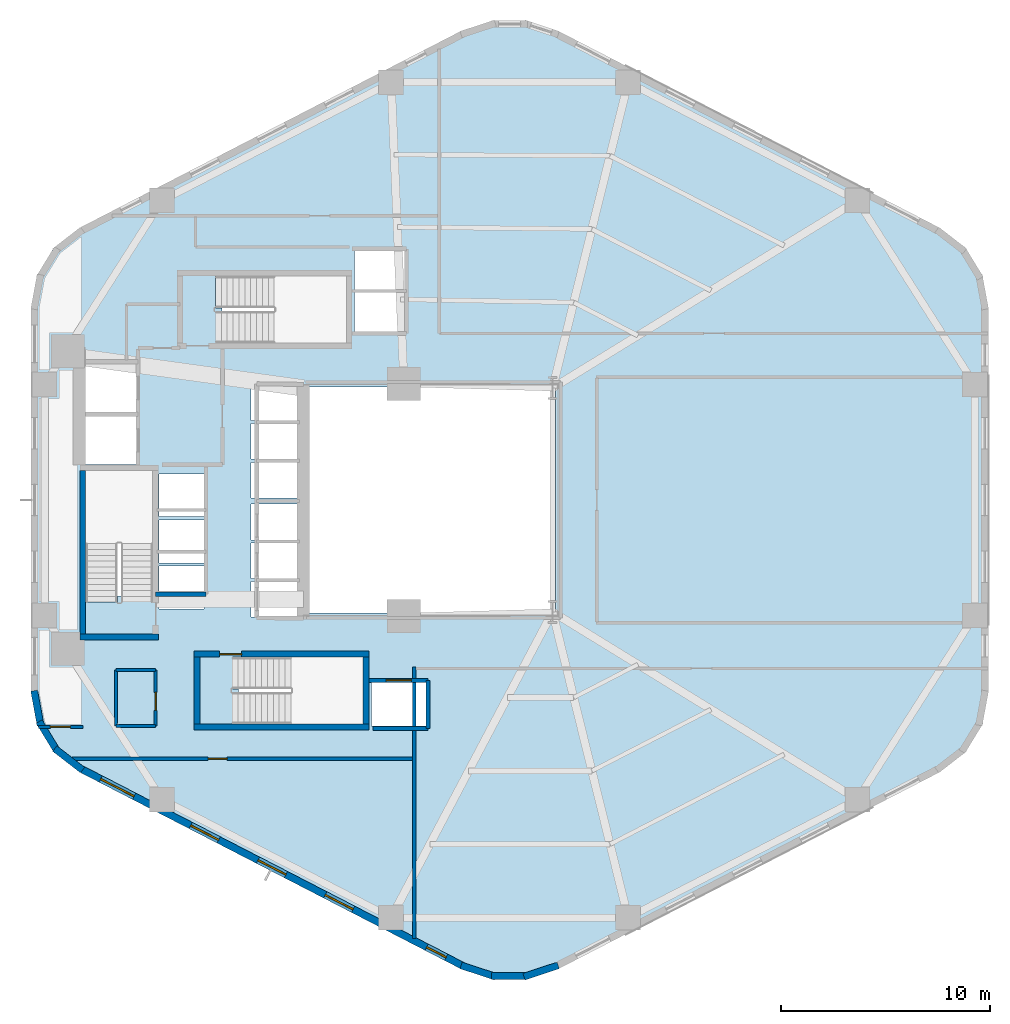
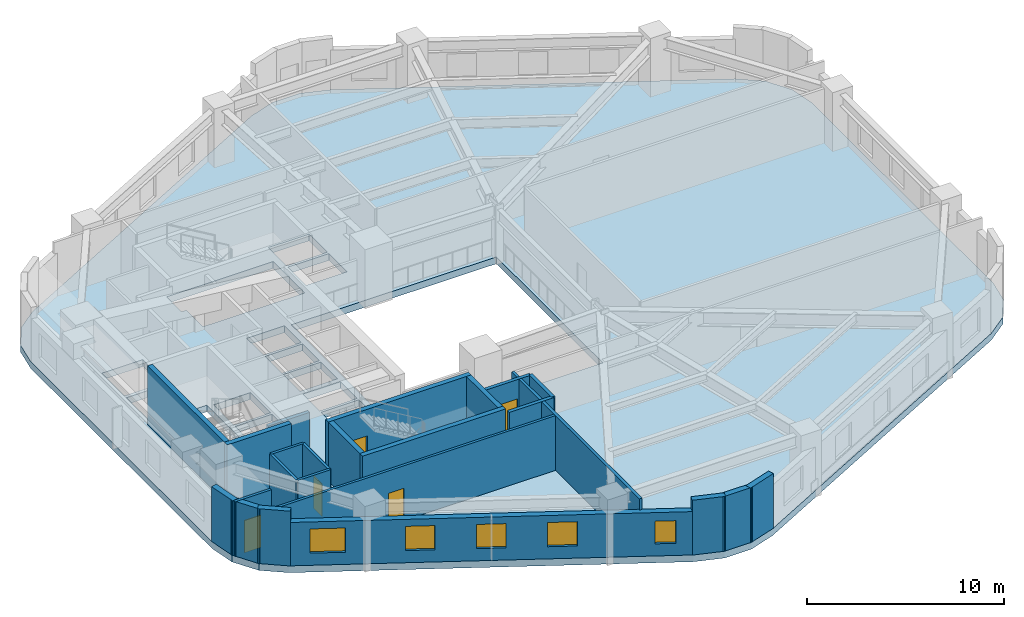
# One storey, part 2 of 7: 24 walls, 5 doors, 5 windows, 1 slab, 10 openings.
"""IFC4 building model written with IfcOpenShell, lengths in metres."""

from ifc_helpers import new_model, si_unit, direction, frame, frame_2d, origin, place, context, subcontext, project, spatial, polyline, rectangle, outline, extrude, material, layer, layer_set, type_object, element, fill, save


model = new_model("IFC4")

# Units and contexts
model_context = context("Model", 3, precision=1e-05, world=origin(), true_north=direction((0.0, 1.0)))
body_context = subcontext(model_context, "Body", "Model", "MODEL_VIEW")
ifc_project = project(units=[si_unit("LENGTHUNIT", "METRE"), si_unit("AREAUNIT", "SQUARE_METRE"), si_unit("VOLUMEUNIT", "CUBIC_METRE"), si_unit("PLANEANGLEUNIT", "RADIAN"), si_unit("MASSUNIT", "GRAM", prefix="KILO"), si_unit("THERMODYNAMICTEMPERATUREUNIT", "KELVIN"), si_unit("POWERUNIT", "WATT")], contexts=[model_context])

# Site, building, storey
site_placement = place(None, origin())
site = spatial("IfcSite", under=ifc_project, at=site_placement, CompositionType="ELEMENT")
building_placement = place(site_placement, origin())
building = spatial("IfcBuilding", under=site, at=building_placement, Name="Skarre Station Tower", CompositionType="ELEMENT")
storey_placement = place(building_placement, frame((0.0, 0.0, 27.0)))
storey = spatial("IfcBuildingStorey", under=building, at=storey_placement, Name="L06", CompositionType="ELEMENT", Elevation=27.0)

# Slab
ifc_material_1 = material(Name="Concrete C50/60", Category="concrete")
ifc_layer_1 = layer(ifc_material_1, 0.419921875, Name="Concrete C50/60")
ifc_layer_set_1 = layer_set([ifc_layer_1], Name="Concrete C50/60")
slab_type = type_object("IfcSlabType", Name="Transfer & Concourse Floor Slab 360", PredefinedType="FLOOR", material=ifc_layer_set_1)
slab_placement = place(storey_placement, frame((0.0, 0.0, -0.419921875)))
element("IfcSlab", 1, at=slab_placement, inside=storey, type_object=slab_type, Name="L06 Zone 1 Structural Floor Slab", PredefinedType="FLOOR", context=body_context, shape_type="SweptSolid", body=[
    extrude(outline(polyline([(60.262939453125, 33.201904296875), (59.98193359375, 34.72412109375), (59.177001953125, 36.044921875), (57.9541015625, 36.991943359375), (39.708984375, 46.407958984375), (38.196044921875, 46.906005859375), (36.60400390625, 46.906005859375), (35.091064453125, 46.407958984375), (16.845947265625, 36.991943359375), (15.623046875, 36.044921875), (14.818115234375, 34.72412109375), (14.537109375, 33.201904296875), (14.537109375, 14.798095703125), (14.818115234375, 13.27587890625), (15.623046875, 11.955078125), (16.845947265625, 11.008056640625), (35.091064453125, 1.592041015625), (36.60400390625, 1.093994140625), (38.196044921875, 1.093994140625), (39.708984375, 1.592041015625), (57.9541015625, 11.008056640625), (59.177001953125, 11.955078125), (59.98193359375, 13.27587890625), (60.262939453125, 14.798095703125), (60.262939453125, 33.201904296875)]), holes=[polyline([(18.669921875, 19.419921875), (18.669921875, 19.123046875), (17.14990234375, 19.123046875), (17.14990234375, 25.39990234375), (20.35009765625, 25.39990234375), (20.35009765625, 19.419921875), (18.669921875, 19.419921875)]), polyline([(24.449951171875, 14.97998046875), (24.153076171875, 14.97998046875), (24.153076171875, 16.5), (30.39990234375, 16.5), (30.39990234375, 13.300048828125), (24.449951171875, 13.300048828125), (24.449951171875, 14.97998046875)]), polyline([(23.64990234375, 33.179931640625), (23.35302734375, 33.179931640625), (23.35302734375, 34.699951171875), (29.60009765625, 34.699951171875), (29.60009765625, 31.5), (23.64990234375, 31.5), (23.64990234375, 33.179931640625)]), polyline([(17.14990234375, 28.0), (19.550048828125, 28.0), (19.550048828125, 25.699951171875), (17.14990234375, 25.699951171875), (17.14990234375, 28.0)]), polyline([(17.14990234375, 30.5), (19.550048828125, 30.5), (19.550048828125, 28.199951171875), (17.14990234375, 28.199951171875), (17.14990234375, 30.5)]), polyline([(30.800048828125, 15.300048828125), (33.39990234375, 15.300048828125), (33.39990234375, 13.199951171875), (30.800048828125, 13.199951171875), (30.800048828125, 15.300048828125)]), polyline([(25.050048828125, 20.10009765625), (27.25, 20.10009765625), (27.25, 18.39990234375), (25.050048828125, 18.39990234375), (25.050048828125, 20.10009765625)]), polyline([(25.050048828125, 21.949951171875), (27.25, 21.949951171875), (27.25, 20.25), (25.050048828125, 20.25), (25.050048828125, 21.949951171875)]), polyline([(25.050048828125, 23.800048828125), (27.25, 23.800048828125), (27.25, 22.10009765625), (25.050048828125, 22.10009765625), (25.050048828125, 23.800048828125)]), polyline([(25.050048828125, 25.800048828125), (27.25, 25.800048828125), (27.25, 24.10009765625), (25.050048828125, 24.10009765625), (25.050048828125, 25.800048828125)]), polyline([(25.050048828125, 27.64990234375), (27.25, 27.64990234375), (27.25, 25.949951171875), (25.050048828125, 25.949951171875), (25.050048828125, 27.64990234375)]), polyline([(25.050048828125, 29.5), (27.25, 29.5), (27.25, 27.800048828125), (25.050048828125, 27.800048828125), (25.050048828125, 29.5)]), polyline([(20.64990234375, 20.85009765625), (22.800048828125, 20.85009765625), (22.800048828125, 18.800048828125), (20.64990234375, 18.800048828125), (20.64990234375, 20.85009765625)]), polyline([(20.64990234375, 23.050048828125), (22.800048828125, 23.050048828125), (22.800048828125, 21.0), (20.64990234375, 21.0), (20.64990234375, 23.050048828125)]), polyline([(20.64990234375, 25.25), (22.800048828125, 25.25), (22.800048828125, 23.199951171875), (20.64990234375, 23.199951171875), (20.64990234375, 25.25)]), polyline([(30.0, 33.89990234375), (32.39990234375, 33.89990234375), (32.39990234375, 32.050048828125), (30.0, 32.050048828125), (30.0, 33.89990234375)]), polyline([(30.0, 35.89990234375), (32.39990234375, 35.89990234375), (32.39990234375, 34.050048828125), (30.0, 34.050048828125), (30.0, 35.89990234375)]), polyline([(27.60009765625, 29.39990234375), (39.60009765625, 29.39990234375), (39.60009765625, 18.60009765625), (27.60009765625, 18.60009765625), (27.60009765625, 29.39990234375)])]), origin(), (0.0, 0.0, 1.0), 0.419921875),
])

# Walls
ifc_material_2 = material(Name="Acoustic Steel-Stud Gypsum Partition", Category="steel")
ifc_layer_2 = layer(ifc_material_2, 0.14990234375, Name="Acoustic Steel-Stud Gypsum Partition")
ifc_layer_set_2 = layer_set([ifc_layer_2], Name="Acoustic Steel-Stud Gypsum Partition")
wall_type_1 = type_object("IfcWallType", Name="Fire-Rated Corridor Acoustic Partition 150", PredefinedType="PARTITIONING", material=ifc_layer_set_2)
wall_1_placement = place(storey_placement, frame((18.60009765625, 15.8798828125, 0.0), z_axis=(0.0, 0.0, 1.0), x_axis=(0.0, -1.0, 0.0)))
element("IfcWall", 2, at=wall_1_placement, inside=storey, type_object=wall_type_1, Name="L06 Interior Partition WL-PT-L06-CSVC-W", PredefinedType="PARTITIONING", context=body_context, shape_type="SweptSolid", body=[
    extrude(rectangle(XDim=2.679931640625, YDim=0.14990234375, at=frame_2d((1.33984375, 0.0))), origin(), (0.0, 0.0, 1.0), 3.389892578125),
])
for number, where, z_axis, x_axis, name in (
    (3, (18.60009765625, 13.199951171875, 0.0), (0.0, 0.0, 1.0), (1.0, 0.0, 0.0), "L06 Interior Partition WL-PT-L06-CSVC-S"),
    (4, (18.60009765625, 15.8798828125, 0.0), (0.0, 0.0, 1.0), (1.0, 0.0, 0.0), "L06 Interior Partition WL-PT-L06-CSVC-N"),
):
    element("IfcWall", number, at=place(storey_placement, frame(where, z_axis=z_axis, x_axis=x_axis)), inside=storey, type_object=wall_type_1, Name=name, PredefinedType="PARTITIONING", context=body_context, shape_type="SweptSolid", body=[
        extrude(rectangle(XDim=1.889892578125, YDim=0.14990234375, at=frame_2d((0.94482421875, 0.0))), origin(), (0.0, 0.0, 1.0), 3.389892578125),
    ])

# Wall, opening, door
wall_2_placement = place(storey_placement, frame((20.489990234375, 13.199951171875, 0.0), z_axis=(0.0, 0.0, 1.0), x_axis=(0.0, 1.0, 0.0)))
wall_2 = element("IfcWall", 5, at=wall_2_placement, inside=storey, type_object=wall_type_1, Name="L06 Interior Partition WL-PT-L06-CSVC-E", PredefinedType="PARTITIONING", context=body_context, shape_type="SweptSolid", body=[
    extrude(rectangle(XDim=2.679931640625, YDim=0.14990234375, at=frame_2d((1.33984375, 0.0))), origin(), (0.0, 0.0, 1.0), 3.389892578125),
])
opening_1_placement = place(wall_2_placement, frame((0.75, 0.0, 0.0)))
opening_1 = element("IfcOpeningElement", 6, at=opening_1_placement, cuts=wall_2, Name="Opening DR-SVC86", PredefinedType="OPENING", context=body_context, shape_type="SweptSolid", body=[
    extrude(rectangle(XDim=0.860107421875, YDim=2.0, at=frame_2d((0.43017578125, 1.0))), frame((0.0, 0.0849609375, 0.0), z_axis=(0.0, -1.0, 0.0), x_axis=(1.0, 0.0, 0.0)), (0.0, 0.0, 1.0), 0.169921875),
])
ifc_material_3 = material(Name="Powder-Coated Hollow-Metal Acoustic Fire Leaf", Category="steel")
door_type_1 = type_object("IfcDoorType", Name="Compact Riser Fire Door FD60 860x2100", OperationType="SINGLE_SWING_LEFT", PredefinedType="DOOR", material=ifc_material_3)
door_1_placement = place(opening_1_placement, origin())
door_1 = element("IfcDoor", 7, at=door_1_placement, inside=storey, type_object=door_type_1, Name="L06 Supply Room Door", OperationType="SINGLE_SWING_LEFT", OverallHeight=2.0, OverallWidth=0.860107421875, PredefinedType="DOOR", context=body_context, shape_type="SweptSolid", body=[
    extrude(rectangle(XDim=0.860107421875, YDim=2.0, at=frame_2d((0.43017578125, 1.0))), frame((0.0, 0.02490234375, 0.0), z_axis=(0.0, -1.0, 0.0), x_axis=(1.0, 0.0, 0.0)), (0.0, 0.0, 1.0), 0.050048828125),
])
fill(opening_1, door_1)

wall_3_placement = place(storey_placement, frame((16.487060546875, 11.639892578125, 0.0), z_axis=(0.0, 0.0, 1.0), x_axis=(1.0, 0.0, 0.0)))
wall_3 = element("IfcWall", 8, at=wall_3_placement, inside=storey, type_object=wall_type_1, Name="L06 Interior Partition WL-PT-L06-SWP-N", PredefinedType="PARTITIONING", context=body_context, shape_type="SweptSolid", body=[
    extrude(rectangle(XDim=16.363037109375, YDim=0.14990234375, at=frame_2d((8.181640625, 0.0))), origin(), (0.0, 0.0, 1.0), 3.389892578125),
])
opening_2_placement = place(wall_3_placement, frame((6.512939453125, 0.0, 0.0)))
opening_2 = element("IfcOpeningElement", 9, at=opening_2_placement, cuts=wall_3, Name="Opening DR-SVC90", PredefinedType="OPENING", context=body_context, shape_type="SweptSolid", body=[
    extrude(rectangle(XDim=0.89990234375, YDim=2.0, at=frame_2d((0.449951171875, 1.0))), frame((0.0, 0.0849609375, 0.0), z_axis=(0.0, -1.0, 0.0), x_axis=(1.0, 0.0, 0.0)), (0.0, 0.0, 1.0), 0.169921875),
])
door_type_2 = type_object("IfcDoorType", Name="Service & Riser Fire Door FD60 900x2100", OperationType="SINGLE_SWING_LEFT", PredefinedType="DOOR", material=ifc_material_3)
door_2_placement = place(opening_2_placement, origin())
door_2 = element("IfcDoor", 10, at=door_2_placement, inside=storey, type_object=door_type_2, Name="L06 Floor Public Toilets Door", OperationType="SINGLE_SWING_LEFT", OverallHeight=2.0, OverallWidth=0.89990234375, PredefinedType="DOOR", context=body_context, shape_type="SweptSolid", body=[
    extrude(rectangle(XDim=0.89990234375, YDim=2.0, at=frame_2d((0.449951171875, 1.0))), frame((0.0, 0.02490234375, 0.0), z_axis=(0.0, -1.0, 0.0), x_axis=(1.0, 0.0, 0.0)), (0.0, 0.0, 1.0), 0.050048828125),
])
fill(opening_2, door_2)

wall_4_placement = place(storey_placement, frame((17.02001953125, 13.159912109375, 0.0), z_axis=(0.0, 0.0, 1.0), x_axis=(-1.0, 0.0, 0.0)))
wall_4 = element("IfcWall", 11, at=wall_4_placement, inside=storey, type_object=wall_type_1, Name="L06 Interior Partition WL-PT-L06-WW1-CW", PredefinedType="PARTITIONING", context=body_context, shape_type="SweptSolid", body=[
    extrude(rectangle(XDim=2.1201171875, YDim=0.14990234375, at=frame_2d((1.06005859375, 0.0))), origin(), (0.0, 0.0, 1.0), 3.389892578125),
])
opening_3_placement = place(wall_4_placement, frame((0.596923828125, 0.0, 0.0)))
opening_3 = element("IfcOpeningElement", 12, at=opening_3_placement, cuts=wall_4, Name="Opening DR-FD60", PredefinedType="OPENING", context=body_context, shape_type="SweptSolid", body=[
    extrude(rectangle(XDim=0.9599609375, YDim=2.0, at=frame_2d((0.47998046875, 1.0))), frame((0.0, 0.0849609375, 0.0), z_axis=(0.0, -1.0, 0.0), x_axis=(1.0, 0.0, 0.0)), (0.0, 0.0, 1.0), 0.169921875),
])
ifc_material_4 = material(Name="Nordic White-Oak Veneer Solid-Core Fire Leaf", Category="wood")
door_type_3 = type_object("IfcDoorType", Name="Corridor Suite Entry Fire Door FD60 960x2150", OperationType="SINGLE_SWING_LEFT", PredefinedType="DOOR", material=ifc_material_4)
door_3_placement = place(opening_3_placement, origin())
door_3 = element("IfcDoor", 13, at=door_3_placement, inside=storey, type_object=door_type_3, Name="L06 WW1 Entry Door", OperationType="SINGLE_SWING_LEFT", OverallHeight=2.0, OverallWidth=0.9599609375, PredefinedType="DOOR", context=body_context, shape_type="SweptSolid", body=[
    extrude(rectangle(XDim=0.9599609375, YDim=2.0, at=frame_2d((0.47998046875, 1.0))), frame((0.0, 0.02490234375, 0.0), z_axis=(0.0, -1.0, 0.0), x_axis=(1.0, 0.0, 0.0)), (0.0, 0.0, 1.0), 0.050048828125),
])
fill(opening_3, door_3)

# Wall, openings, windows
ifc_material_5 = material(Name="Precast concrete C45/55", Category="concrete")
ifc_layer_3 = layer(ifc_material_5, 0.340087890625, Name="Precast concrete C45/55")
ifc_layer_set_3 = layer_set([ifc_layer_3], Name="Precast concrete C45/55")
wall_type_2 = type_object("IfcWallType", Name="Nordic Honed Precast Facet Wall 340", PredefinedType="STANDARD", material=ifc_layer_set_3)
wall_5_placement = place(storey_placement, frame((35.1689453125, 1.742919921875, 0.0), z_axis=(0.0, 0.0, 1.0), x_axis=(-0.888634413993, 0.458616264721, 0.0)))
wall_5 = element("IfcWall", 14, at=wall_5_placement, inside=storey, type_object=wall_type_2, Name="L06 Facet 3 Nordic Precast Masonry Wall", PredefinedType="STANDARD", context=body_context, shape_type="SweptSolid", body=[
    extrude(rectangle(XDim=20.53125, YDim=0.340087890625, at=frame_2d((10.265625, 0.0))), origin(), (0.0, 0.0, 1.0), 2.68408203125),
])
opening_4_placement = place(wall_5_placement, frame((0.902099609375, 0.0, 0.75)))
opening_4 = element("IfcOpeningElement", 15, at=opening_4_placement, cuts=wall_5, Name="Opening WN-SLT", PredefinedType="OPENING", context=body_context, shape_type="SweptSolid", body=[
    extrude(rectangle(XDim=1.050048828125, YDim=1.39990234375, at=frame_2d((0.52490234375, 0.699951171875))), frame((0.0, 0.179931640625, 0.0), z_axis=(0.0, -1.0, 0.0), x_axis=(1.0, 0.0, 0.0)), (0.0, 0.0, 1.0), 0.360107421875),
])
opening_5_placement = place(wall_5_placement, frame((5.903076171875, 0.0, 0.75)))
opening_5 = element("IfcOpeningElement", 16, at=opening_5_placement, cuts=wall_5, Name="Opening WN-Z1B", PredefinedType="OPENING", context=body_context, shape_type="SweptSolid", body=[
    extrude(rectangle(XDim=1.5, YDim=1.5, at=frame_2d((0.75, 0.75))), frame((0.0, 0.179931640625, 0.0), z_axis=(0.0, -1.0, 0.0), x_axis=(1.0, 0.0, 0.0)), (0.0, 0.0, 1.0), 0.360107421875),
])
opening_6_placement = place(wall_5_placement, frame((9.51611328125, 0.0, 0.75)))
opening_6 = element("IfcOpeningElement", 17, at=opening_6_placement, cuts=wall_5, Name="Opening WN-Z1B", PredefinedType="OPENING", context=body_context, shape_type="SweptSolid", body=[
    extrude(rectangle(XDim=1.5, YDim=1.5, at=frame_2d((0.75, 0.75))), frame((0.0, 0.179931640625, 0.0), z_axis=(0.0, -1.0, 0.0), x_axis=(1.0, 0.0, 0.0)), (0.0, 0.0, 1.0), 0.360107421875),
])
opening_7_placement = place(wall_5_placement, frame((13.12890625, 0.0, 0.75)))
opening_7 = element("IfcOpeningElement", 18, at=opening_7_placement, cuts=wall_5, Name="Opening WN-Z1B", PredefinedType="OPENING", context=body_context, shape_type="SweptSolid", body=[
    extrude(rectangle(XDim=1.5, YDim=1.5, at=frame_2d((0.75, 0.75))), frame((0.0, 0.179931640625, 0.0), z_axis=(0.0, -1.0, 0.0), x_axis=(1.0, 0.0, 0.0)), (0.0, 0.0, 1.0), 0.360107421875),
])
opening_8_placement = place(wall_5_placement, frame((17.673095703125, 0.0, 0.75)))
opening_8 = element("IfcOpeningElement", 19, at=opening_8_placement, cuts=wall_5, Name="Opening WN-Z1A", PredefinedType="OPENING", context=body_context, shape_type="SweptSolid", body=[
    extrude(rectangle(XDim=1.800048828125, YDim=1.5, at=frame_2d((0.89990234375, 0.75))), frame((0.0, 0.179931640625, 0.0), z_axis=(0.0, -1.0, 0.0), x_axis=(1.0, 0.0, 0.0)), (0.0, 0.0, 1.0), 0.360107421875),
])
ifc_material_6 = material(Name="Low-Iron Triple Glazing with Bronze Anodized Frame", Category="glass")
window_type_1 = type_object("IfcWindowType", Name="Nordic Corner Slot Window 1050x1400", PartitioningType="SINGLE_PANEL", PredefinedType="WINDOW", material=ifc_material_6)
window_1_placement = place(opening_4_placement, origin())
window_1 = element("IfcWindow", 20, at=window_1_placement, inside=storey, type_object=window_type_1, Name="L06 Facade Window WL-FAC-L06-F3-1", OverallHeight=1.39990234375, OverallWidth=1.050048828125, PartitioningType="SINGLE_PANEL", PredefinedType="WINDOW", context=body_context, shape_type="SweptSolid", body=[
    extrude(rectangle(XDim=1.050048828125, YDim=1.39990234375, at=frame_2d((0.52490234375, 0.699951171875))), frame((0.0, 0.030029296875, 0.0), z_axis=(0.0, -1.0, 0.0), x_axis=(1.0, 0.0, 0.0)), (0.0, 0.0, 1.0), 0.06005859375),
])
fill(opening_4, window_1)
window_type_2 = type_object("IfcWindowType", Name="Nordic Punched Triple-Glazed Window 1500x1500", PartitioningType="SINGLE_PANEL", PredefinedType="WINDOW", material=ifc_material_6)
window_2_placement = place(opening_5_placement, origin())
window_2 = element("IfcWindow", 21, at=window_2_placement, inside=storey, type_object=window_type_2, Name="L06 Facade Window WL-FAC-L06-F3-2", OverallHeight=1.5, OverallWidth=1.5, PartitioningType="SINGLE_PANEL", PredefinedType="WINDOW", context=body_context, shape_type="SweptSolid", body=[
    extrude(rectangle(XDim=1.5, YDim=1.5, at=frame_2d((0.75, 0.75))), frame((0.0, 0.030029296875, 0.0), z_axis=(0.0, -1.0, 0.0), x_axis=(1.0, 0.0, 0.0)), (0.0, 0.0, 1.0), 0.06005859375),
])
fill(opening_5, window_2)
window_3_placement = place(opening_6_placement, origin())
window_3 = element("IfcWindow", 22, at=window_3_placement, inside=storey, type_object=window_type_2, Name="L06 Facade Window WL-FAC-L06-F3-3", OverallHeight=1.5, OverallWidth=1.5, PartitioningType="SINGLE_PANEL", PredefinedType="WINDOW", context=body_context, shape_type="SweptSolid", body=[
    extrude(rectangle(XDim=1.5, YDim=1.5, at=frame_2d((0.75, 0.75))), frame((0.0, 0.030029296875, 0.0), z_axis=(0.0, -1.0, 0.0), x_axis=(1.0, 0.0, 0.0)), (0.0, 0.0, 1.0), 0.06005859375),
])
fill(opening_6, window_3)
window_4_placement = place(opening_7_placement, origin())
window_4 = element("IfcWindow", 23, at=window_4_placement, inside=storey, type_object=window_type_2, Name="L06 Facade Window WL-FAC-L06-F3-4", OverallHeight=1.5, OverallWidth=1.5, PartitioningType="SINGLE_PANEL", PredefinedType="WINDOW", context=body_context, shape_type="SweptSolid", body=[
    extrude(rectangle(XDim=1.5, YDim=1.5, at=frame_2d((0.75, 0.75))), frame((0.0, 0.030029296875, 0.0), z_axis=(0.0, -1.0, 0.0), x_axis=(1.0, 0.0, 0.0)), (0.0, 0.0, 1.0), 0.06005859375),
])
fill(opening_7, window_4)
window_type_3 = type_object("IfcWindowType", Name="Nordic Punched Triple-Glazed Window 1800x1500", PartitioningType="SINGLE_PANEL", PredefinedType="WINDOW", material=ifc_material_6)
window_5_placement = place(opening_8_placement, origin())
window_5 = element("IfcWindow", 24, at=window_5_placement, inside=storey, type_object=window_type_3, Name="L06 Facade Window WL-FAC-L06-F3-5", OverallHeight=1.5, OverallWidth=1.800048828125, PartitioningType="SINGLE_PANEL", PredefinedType="WINDOW", context=body_context, shape_type="SweptSolid", body=[
    extrude(rectangle(XDim=1.800048828125, YDim=1.5, at=frame_2d((0.89990234375, 0.75))), frame((0.0, 0.030029296875, 0.0), z_axis=(0.0, -1.0, 0.0), x_axis=(1.0, 0.0, 0.0)), (0.0, 0.0, 1.0), 0.06005859375),
])
fill(opening_8, window_5)

# Walls
ifc_layer_4 = layer(ifc_material_5, 0.330078125, Name="Precast concrete C45/55")
ifc_layer_set_4 = layer_set([ifc_layer_4], Name="Precast concrete C45/55")
wall_type_3 = type_object("IfcWallType", Name="Nordic Rounded Corner Precast Wall 330", PredefinedType="STANDARD", material=ifc_layer_set_4)
wall_6_placement = place(storey_placement, frame((16.998046875, 11.09912109375, 0.0), z_axis=(0.0, 0.0, 1.0), x_axis=(-0.790691856293, 0.61221433207, 0.0)))
element("IfcWall", 25, at=wall_6_placement, inside=storey, type_object=wall_type_3, Name="L06 Rounded Corner Precast Wall F3-1", PredefinedType="STANDARD", context=body_context, shape_type="SweptSolid", body=[
    extrude(rectangle(XDim=1.67578125, YDim=0.330078125, at=frame_2d((0.837890625, 0.0))), origin(), (0.0, 0.0, 1.0), 3.389892578125),
])
wall_7_placement = place(storey_placement, frame((15.798095703125, 11.985107421875, 0.0), z_axis=(0.0, 0.0, 1.0), x_axis=(-0.520584129191, 0.853810379671, 0.0)))
element("IfcWall", 26, at=wall_7_placement, inside=storey, type_object=wall_type_3, Name="L06 Rounded Corner Precast Wall F3-2", PredefinedType="STANDARD", context=body_context, shape_type="SweptSolid", body=[
    extrude(rectangle(XDim=1.677001953125, YDim=0.330078125, at=frame_2d((0.83837890625, 0.0))), origin(), (0.0, 0.0, 1.0), 3.389892578125),
])
wall_8_placement = place(storey_placement, frame((14.991943359375, 13.241943359375, 0.0), z_axis=(0.0, 0.0, 1.0), x_axis=(-0.181714143354, 0.983351397063, 0.0)))
element("IfcWall", 27, at=wall_8_placement, inside=storey, type_object=wall_type_3, Name="L06 Rounded Corner Precast Wall F3-3", PredefinedType="STANDARD", context=body_context, shape_type="SweptSolid", body=[
    extrude(rectangle(XDim=1.677978515625, YDim=0.330078125, at=frame_2d((0.8388671875, 0.0))), origin(), (0.0, 0.0, 1.0), 3.389892578125),
])
wall_9_placement = place(storey_placement, frame((39.718994140625, 1.76904296875, 0.0), z_axis=(0.0, 0.0, 1.0), x_axis=(-0.94976901097, -0.312951794691, 0.0)))
element("IfcWall", 28, at=wall_9_placement, inside=storey, type_object=wall_type_3, Name="L06 Rounded Corner Precast Wall F4-1", PredefinedType="STANDARD", context=body_context, shape_type="SweptSolid", body=[
    extrude(rectangle(XDim=1.722412109375, YDim=0.330078125, at=frame_2d((0.861328125, 0.0))), origin(), (0.0, 0.0, 1.0), 3.389892578125),
])
wall_10_placement = place(storey_placement, frame((38.260986328125, 1.259033203125, 0.0), z_axis=(0.0, 0.0, 1.0), x_axis=(-1.0, 0.0, 0.0)))
element("IfcWall", 29, at=wall_10_placement, inside=storey, type_object=wall_type_3, Name="L06 Rounded Corner Precast Wall F4-2", PredefinedType="STANDARD", context=body_context, shape_type="SweptSolid", body=[
    extrude(rectangle(XDim=1.721923828125, YDim=0.330078125, at=frame_2d((0.86083984375, 0.0))), origin(), (0.0, 0.0, 1.0), 3.389892578125),
])
wall_11_placement = place(storey_placement, frame((36.717041015625, 1.22998046875, 0.0), z_axis=(0.0, 0.0, 1.0), x_axis=(-0.94976901097, 0.312951794691, 0.0)))
element("IfcWall", 30, at=wall_11_placement, inside=storey, type_object=wall_type_3, Name="L06 Rounded Corner Precast Wall F4-3", PredefinedType="STANDARD", context=body_context, shape_type="SweptSolid", body=[
    extrude(rectangle(XDim=1.722412109375, YDim=0.330078125, at=frame_2d((0.861328125, 0.0))), origin(), (0.0, 0.0, 1.0), 3.389892578125),
])
ifc_layer_5 = layer(ifc_material_1, 0.280029296875, Name="Concrete C50/60")
ifc_layer_set_5 = layer_set([ifc_layer_5], Name="Concrete C50/60")
wall_type_4 = type_object("IfcWallType", Name="RC Core Shear Wall 280", PredefinedType="SHEAR", material=ifc_layer_set_5)
wall_12_placement = place(storey_placement, frame((16.8701171875, 17.4599609375, 0.0), z_axis=(0.0, 0.0, 1.0), x_axis=(1.0, 0.0, 0.0)))
element("IfcWall", 31, at=wall_12_placement, inside=storey, type_object=wall_type_4, Name="L06 Stair ST-1 South Shear Wall", PredefinedType="SHEAR", context=body_context, shape_type="SweptSolid", body=[
    extrude(rectangle(XDim=3.759765625, YDim=0.280029296875, at=frame_2d((1.8798828125, 0.0))), origin(), (0.0, 0.0, 1.0), 3.64990234375),
])
wall_13_placement = place(storey_placement, frame((17.010009765625, 25.39990234375, 0.0), z_axis=(0.0, 0.0, 1.0), x_axis=(0.0, -1.0, 0.0)))
element("IfcWall", 32, at=wall_13_placement, inside=storey, type_object=wall_type_4, Name="L06 Stair ST-1 West Shear Wall", PredefinedType="SHEAR", context=body_context, shape_type="SweptSolid", body=[
    extrude(rectangle(XDim=7.7998046875, YDim=0.280029296875, at=frame_2d((3.89990234375, 0.0))), origin(), (0.0, 0.0, 1.0), 3.64990234375),
])
wall_14_placement = place(storey_placement, frame((22.320068359375, 13.159912109375, 0.0), z_axis=(0.0, 0.0, 1.0), x_axis=(1.0, 0.0, 0.0)))
element("IfcWall", 33, at=wall_14_placement, inside=storey, type_object=wall_type_4, Name="L06 Stair ST-2 South Shear Wall", PredefinedType="SHEAR", context=body_context, shape_type="SweptSolid", body=[
    extrude(rectangle(XDim=8.35986328125, YDim=0.280029296875, at=frame_2d((4.179931640625, 0.0))), origin(), (0.0, 0.0, 1.0), 3.64990234375),
])

# Wall, opening, door
wall_15_placement = place(storey_placement, frame((30.679931640625, 16.639892578125, 0.0), z_axis=(0.0, 0.0, 1.0), x_axis=(-1.0, 0.0, 0.0)))
wall_15 = element("IfcWall", 34, at=wall_15_placement, inside=storey, type_object=wall_type_4, Name="L06 Stair ST-2 North Shear Wall", PredefinedType="SHEAR", context=body_context, shape_type="SweptSolid", body=[
    extrude(rectangle(XDim=8.35986328125, YDim=0.280029296875, at=frame_2d((4.179931640625, 0.0))), origin(), (0.0, 0.0, 1.0), 3.64990234375),
])
opening_9_placement = place(wall_15_placement, frame((6.080078125, 0.0, 0.0)))
opening_9 = element("IfcOpeningElement", 35, at=opening_9_placement, cuts=wall_15, Name="Opening DR-FD90", PredefinedType="OPENING", context=body_context, shape_type="SweptSolid", body=[
    extrude(rectangle(XDim=1.050048828125, YDim=2.0, at=frame_2d((0.52490234375, 1.0))), frame((0.0, 0.14990234375, 0.0), z_axis=(0.0, -1.0, 0.0), x_axis=(1.0, 0.0, 0.0)), (0.0, 0.0, 1.0), 0.300048828125),
])
ifc_material_7 = material(Name="Fire-Rated Insulated Steel Frame & Timber Core Leaf", Category="steel")
door_type_4 = type_object("IfcDoorType", Name="Stair & FSAE Lobby Fire Door FD90 1050x2150", OperationType="SINGLE_SWING_RIGHT", PredefinedType="DOOR", material=ifc_material_7)
door_4_placement = place(opening_9_placement, origin())
door_4 = element("IfcDoor", 36, at=door_4_placement, inside=storey, type_object=door_type_4, Name="L06 Stair ST-2 Exit Door", OperationType="SINGLE_SWING_RIGHT", OverallHeight=2.0, OverallWidth=1.050048828125, PredefinedType="DOOR", context=body_context, shape_type="SweptSolid", body=[
    extrude(rectangle(XDim=1.050048828125, YDim=2.0, at=frame_2d((0.52490234375, 1.0))), frame((0.0, 0.02490234375, 0.0), z_axis=(0.0, -1.0, 0.0), x_axis=(1.0, 0.0, 0.0)), (0.0, 0.0, 1.0), 0.050048828125),
])
fill(opening_9, door_4)

# Walls
for number, where, z_axis, x_axis, name in (
    (37, (22.4599609375, 16.5, 0.0), (0.0, 0.0, 1.0), (0.0, -1.0, 0.0), "L06 Stair ST-2 West Shear Wall"),
    (38, (30.5400390625, 13.300048828125, 0.0), (0.0, 0.0, 1.0), (0.0, 1.0, 0.0), "L06 Stair ST-2 East Shear Wall"),
):
    element("IfcWall", number, at=place(storey_placement, frame(where, z_axis=z_axis, x_axis=x_axis)), inside=storey, type_object=wall_type_4, Name=name, PredefinedType="SHEAR", context=body_context, shape_type="SweptSolid", body=[
        extrude(rectangle(XDim=3.199951171875, YDim=0.280029296875, at=frame_2d((1.60009765625, 0.0))), origin(), (0.0, 0.0, 1.0), 3.64990234375),
    ])

# Wall, opening, door
ifc_material_8 = material(Name="Gypsum Concrete Shaft Assembly C30/37", Category="concrete")
ifc_layer_6 = layer(ifc_material_8, 0.199951171875, Name="Gypsum Concrete Shaft Assembly C30/37")
ifc_layer_set_6 = layer_set([ifc_layer_6], Name="Gypsum Concrete Shaft Assembly C30/37")
wall_type_5 = type_object("IfcWallType", Name="Shaft & Core Fire Partition 200", PredefinedType="PARTITIONING", material=ifc_layer_set_6)
wall_16_placement = place(storey_placement, frame((33.5, 15.3798828125, 0.0), z_axis=(0.0, 0.0, 1.0), x_axis=(-1.0, 0.0, 0.0)))
wall_16 = element("IfcWall", 39, at=wall_16_placement, inside=storey, type_object=wall_type_5, Name="L06 Interior Partition WL-PT-L06-SV1-N", PredefinedType="PARTITIONING", context=body_context, shape_type="SweptSolid", body=[
    extrude(rectangle(XDim=2.820068359375, YDim=0.199951171875, at=frame_2d((1.41015625, 0.0))), origin(), (0.0, 0.0, 1.0), 3.389892578125),
])
opening_10_placement = place(wall_16_placement, frame((0.800048828125, 0.0, 0.0)))
opening_10 = element("IfcOpeningElement", 40, at=opening_10_placement, cuts=wall_16, Name="Opening LD-SV1", PredefinedType="OPENING", context=body_context, shape_type="SweptSolid", body=[
    extrude(rectangle(XDim=1.199951171875, YDim=2.199951171875, at=frame_2d((0.60009765625, 1.10009765625))), frame((0.0, 0.10986328125, 0.0), z_axis=(0.0, -1.0, 0.0), x_axis=(1.0, 0.0, 0.0)), (0.0, 0.0, 1.0), 0.219970703125),
])
ifc_material_9 = material(Name="Heavy-Gauge Brushed Stainless Steel Sliding Leaves", Category="steel")
door_type_5 = type_object("IfcDoorType", Name="Service Elevator Wide Sliding Landing Door 1200x2200", OperationType="SLIDING_TO_RIGHT", PredefinedType="DOOR", material=ifc_material_9)
door_5_placement = place(opening_10_placement, origin())
door_5 = element("IfcDoor", 41, at=door_5_placement, inside=storey, type_object=door_type_5, Name="L06 Service Lift LF-SV1 Landing Door", OperationType="SLIDING_TO_RIGHT", OverallHeight=2.199951171875, OverallWidth=1.199951171875, PredefinedType="DOOR", context=body_context, shape_type="SweptSolid", body=[
    extrude(rectangle(XDim=1.199951171875, YDim=2.199951171875, at=frame_2d((0.60009765625, 1.10009765625))), frame((0.0, 0.02490234375, 0.0), z_axis=(0.0, -1.0, 0.0), x_axis=(1.0, 0.0, 0.0)), (0.0, 0.0, 1.0), 0.050048828125),
])
fill(opening_10, door_5)

# Walls
wall_17_placement = place(storey_placement, frame((33.5, 13.080078125, 0.0), z_axis=(0.0, 0.0, 1.0), x_axis=(0.0, 1.0, 0.0)))
element("IfcWall", 42, at=wall_17_placement, inside=storey, type_object=wall_type_5, Name="L06 Interior Partition WL-PT-L06-SV1-E", PredefinedType="PARTITIONING", context=body_context, shape_type="SweptSolid", body=[
    extrude(rectangle(XDim=2.2998046875, YDim=0.199951171875, at=frame_2d((1.14990234375, 0.0))), origin(), (0.0, 0.0, 1.0), 3.389892578125),
])
wall_18_placement = place(storey_placement, frame((30.87890625, 13.080078125, 0.0), z_axis=(0.0, 0.0, 1.0), x_axis=(1.0, 0.0, 0.0)))
element("IfcWall", 43, at=wall_18_placement, inside=storey, type_object=wall_type_5, Name="L06 Interior Partition WL-PT-L06-SV1-S", PredefinedType="PARTITIONING", context=body_context, shape_type="SweptSolid", body=[
    extrude(rectangle(XDim=2.62109375, YDim=0.199951171875, at=frame_2d((1.310546875, 0.0))), origin(), (0.0, 0.0, 1.0), 3.389892578125),
])
wall_19_placement = place(storey_placement, frame((20.489990234375, 19.5, 0.0), z_axis=(0.0, 0.0, 1.0), x_axis=(1.0, 0.0, 0.0)))
element("IfcWall", 44, at=wall_19_placement, inside=storey, type_object=wall_type_5, Name="L06 Interior Partition WL-PT-L06-B3-S", PredefinedType="PARTITIONING", context=body_context, shape_type="SweptSolid", body=[
    extrude(rectangle(XDim=2.409912109375, YDim=0.199951171875, at=frame_2d((1.205078125, 0.0))), origin(), (0.0, 0.0, 1.0), 2.2900390625),
])
ifc_layer_7 = layer(ifc_material_2, 0.1650390625, Name="Acoustic Steel-Stud Gypsum Partition")
ifc_layer_set_7 = layer_set([ifc_layer_7], Name="Acoustic Steel-Stud Gypsum Partition")
wall_type_6 = type_object("IfcWallType", Name="Suite Demising Acoustic Partition 165", PredefinedType="PARTITIONING", material=ifc_layer_set_7)
wall_20_placement = place(storey_placement, frame((32.85009765625, 3.06396484375, 0.0), z_axis=(0.0, 0.0, 1.0), x_axis=(0.0, 1.0, 0.0)))
element("IfcWall", 45, at=wall_20_placement, inside=storey, type_object=wall_type_6, Name="L06 Interior Partition WL-PT-L06-SWP-E", PredefinedType="PARTITIONING", context=body_context, shape_type="SweptSolid", body=[
    extrude(rectangle(XDim=12.966064453125, YDim=0.1650390625, at=frame_2d((6.48291015625, 0.0))), origin(), (0.0, 0.0, 1.0), 3.389892578125),
])

save(model, "model.ifc")
